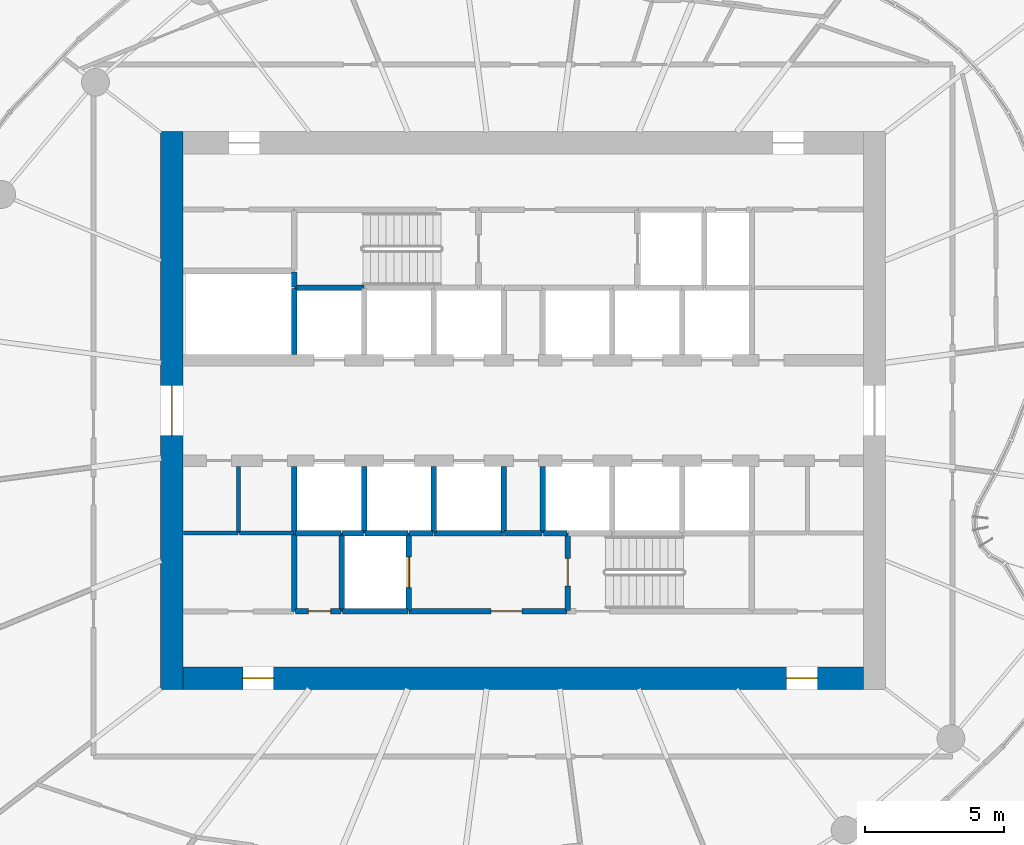
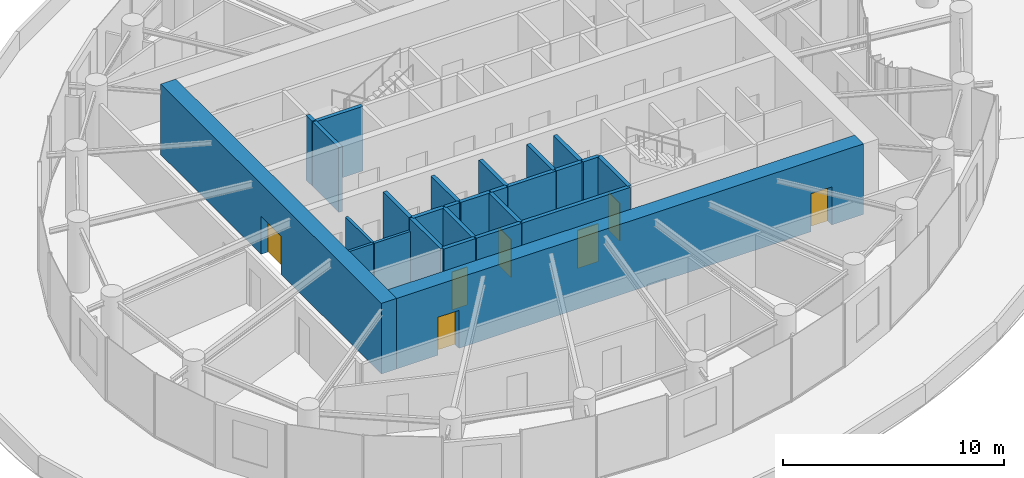
# One storey, part 13 of 21: 27 walls, 7 doors, 7 openings.
"""IFC4 building model written with IfcOpenShell, lengths in metres."""

from ifc_helpers import new_model, si_unit, direction, frame, frame_2d, origin, place, context, subcontext, project, spatial, rectangle, extrude, source, transform, mapped, material, layer, layer_set, type_object, element, fill, save


model = new_model("IFC4")

# Units and contexts
model_context = context("Model", 3, precision=1e-05, world=origin(), true_north=direction((0.0, 1.0)))
body_context = subcontext(model_context, "Body", "Model", "MODEL_VIEW")
ifc_project = project(units=[si_unit("LENGTHUNIT", "METRE"), si_unit("AREAUNIT", "SQUARE_METRE"), si_unit("VOLUMEUNIT", "CUBIC_METRE"), si_unit("PLANEANGLEUNIT", "RADIAN"), si_unit("MASSUNIT", "GRAM", prefix="KILO")], contexts=[model_context])

# Site, building, storey
site_placement = place(None, origin())
site = spatial("IfcSite", under=ifc_project, at=site_placement, CompositionType="ELEMENT")
building_placement = place(site_placement, origin())
building = spatial("IfcBuilding", under=site, at=building_placement, Name="Spindrift Exchange Tower", CompositionType="ELEMENT")
storey_placement = place(building_placement, frame((0.0, 0.0, 133.10009765625)))
storey = spatial("IfcBuildingStorey", under=building, at=storey_placement, Name="L31", CompositionType="ELEMENT", Elevation=133.10009765625)

# Wall, opening, door
ifc_material_1 = material(Name="Concrete 65 MPa", Category="concrete")
ifc_layer_1 = layer(ifc_material_1, 0.800048828125)
ifc_layer_set_1 = layer_set([ifc_layer_1], Name="RC Core Wall 800 Concrete 65 MPa")
wall_type_1 = type_object("IfcWallType", Name="RC Core Wall 800 Concrete 65 MPa", PredefinedType="SHEAR", material=ifc_layer_set_1)
wall_1_placement = place(storey_placement, frame((39.39990234375, 58.0, 0.0), z_axis=(0.0, 0.0, 1.0), x_axis=(0.0, -1.0, 0.0)))
wall_1 = element("IfcWall", 1, at=wall_1_placement, inside=storey, type_object=wall_type_1, Name="Core wall W L31", PredefinedType="SHEAR", context=body_context, shape_type="SweptSolid", body=[
    extrude(rectangle(XDim=20.0, YDim=0.800048828125, at=frame_2d((10.0, 0.0))), origin(), (0.0, 0.0, 1.0), 3.89990234375),
])
opening_1_placement = place(wall_1_placement, frame((9.10009765625, 0.0, 0.0)))
opening_1 = element("IfcOpeningElement", 2, at=opening_1_placement, cuts=wall_1, Name="Opening L31-D1", PredefinedType="OPENING", context=body_context, shape_type="SweptSolid", body=[
    extrude(rectangle(XDim=1.800048828125, YDim=2.10009765625, at=frame_2d((0.89990234375, 1.050048828125))), frame((0.0, 0.409912109375, 0.0), z_axis=(0.0, -1.0, 0.0), x_axis=(1.0, 0.0, 0.0)), (0.0, 0.0, 1.0), 0.820068359375),
])
ifc_material_2 = material(Name="Timber-core fire door", Category="wood")
door_type_1 = type_object("IfcDoorType", Name="DR-LOBBY-1800", OperationType="NOTDEFINED", PredefinedType="DOOR", material=ifc_material_2)
shared_shape_1 = source(origin(), body_context, "Body", "SweptSolid", [
    extrude(rectangle(XDim=1.800048828125, YDim=2.10009765625, at=frame_2d((0.89990234375, 1.050048828125))), frame((0.0, 0.02490234375, 0.0), z_axis=(0.0, -1.0, 0.0), x_axis=(1.0, 0.0, 0.0)), (0.0, 0.0, 1.0), 0.050048828125),
])
door_1_placement = place(opening_1_placement, origin())
door_1 = element("IfcDoor", 3, at=door_1_placement, inside=storey, type_object=door_type_1, Name="L31 Lobby door 1", OperationType="SINGLE_SWING_LEFT", OverallHeight=2.10009765625, OverallWidth=1.800048828125, PredefinedType="DOOR", context=body_context, shape_type="MappedRepresentation", body=[
    mapped(shared_shape_1, transform((0.0, 0.0, 0.0), scale=1.0)),
])
fill(opening_1, door_1)

# Wall, openings, doors
wall_2_placement = place(storey_placement, frame((39.800048828125, 38.39990234375, 0.0), z_axis=(0.0, 0.0, 1.0), x_axis=(1.0, 0.0, 0.0)))
wall_2 = element("IfcWall", 4, at=wall_2_placement, inside=storey, type_object=wall_type_1, Name="Core wall S L31", PredefinedType="SHEAR", context=body_context, shape_type="SweptSolid", body=[
    extrude(rectangle(XDim=24.39990234375, YDim=0.800048828125, at=frame_2d((12.199951171875, 0.0))), origin(), (0.0, 0.0, 1.0), 3.89990234375),
])
opening_2_placement = place(wall_2_placement, frame((21.64990234375, 0.0, 0.0)))
opening_2 = element("IfcOpeningElement", 5, at=opening_2_placement, cuts=wall_2, Name="Opening L31-D27", PredefinedType="OPENING", context=body_context, shape_type="SweptSolid", body=[
    extrude(rectangle(XDim=1.10009765625, YDim=2.10009765625, at=frame_2d((0.550048828125, 1.050048828125))), frame((0.0, 0.409912109375, 0.0), z_axis=(0.0, -1.0, 0.0), x_axis=(1.0, 0.0, 0.0)), (0.0, 0.0, 1.0), 0.820068359375),
])
opening_3_placement = place(wall_2_placement, frame((2.14990234375, 0.0, 0.0)))
opening_3 = element("IfcOpeningElement", 6, at=opening_3_placement, cuts=wall_2, Name="Opening L31-D28", PredefinedType="OPENING", context=body_context, shape_type="SweptSolid", body=[
    extrude(rectangle(XDim=1.10009765625, YDim=2.10009765625, at=frame_2d((0.550048828125, 1.050048828125))), frame((0.0, 0.409912109375, 0.0), z_axis=(0.0, -1.0, 0.0), x_axis=(1.0, 0.0, 0.0)), (0.0, 0.0, 1.0), 0.820068359375),
])
ifc_material_3 = material(Name="Steel fire door", Category="steel")
door_type_2 = type_object("IfcDoorType", Name="DR-STAIR-1100", OperationType="NOTDEFINED", PredefinedType="DOOR", material=ifc_material_3)
shared_shape_2 = source(origin(), body_context, "Body", "SweptSolid", [
    extrude(rectangle(XDim=1.10009765625, YDim=2.10009765625, at=frame_2d((0.550048828125, 1.050048828125))), frame((0.0, 0.02490234375, 0.0), z_axis=(0.0, -1.0, 0.0), x_axis=(1.0, 0.0, 0.0)), (0.0, 0.0, 1.0), 0.050048828125),
])
door_2_placement = place(opening_2_placement, origin())
door_2 = element("IfcDoor", 7, at=door_2_placement, inside=storey, type_object=door_type_2, Name="L31 Stair door 27", OperationType="SINGLE_SWING_RIGHT", OverallHeight=2.10009765625, OverallWidth=1.10009765625, PredefinedType="DOOR", context=body_context, shape_type="MappedRepresentation", body=[
    mapped(shared_shape_2, transform((0.0, 0.0, 0.0), scale=1.0)),
])
fill(opening_2, door_2)
door_3_placement = place(opening_3_placement, origin())
door_3 = element("IfcDoor", 8, at=door_3_placement, inside=storey, type_object=door_type_2, Name="L31 Stair door 28", OperationType="SINGLE_SWING_LEFT", OverallHeight=2.10009765625, OverallWidth=1.10009765625, PredefinedType="DOOR", context=body_context, shape_type="MappedRepresentation", body=[
    mapped(shared_shape_2, transform((0.0, 0.0, 0.0), scale=1.0)),
])
fill(opening_3, door_3)

# Walls
ifc_material_4 = material(Name="Fire-rated plasterboard partition", Category="gypsum")
ifc_layer_2 = layer(ifc_material_4, 0.139892578125)
ifc_layer_set_2 = layer_set([ifc_layer_2], Name="W-PART-140")
wall_type_2 = type_object("IfcWallType", Name="W-PART-140", PredefinedType="PARTITIONING", material=ifc_layer_set_2)
wall_3_placement = place(storey_placement, frame((41.800048828125, 43.60009765625, 0.0), z_axis=(0.0, 0.0, 1.0), x_axis=(0.0, 1.0, 0.0)))
element("IfcWall", 9, at=wall_3_placement, inside=storey, type_object=wall_type_2, Name="L31 Partition wall 89", PredefinedType="PARTITIONING", context=body_context, shape_type="SweptSolid", body=[
    extrude(rectangle(XDim=2.389892578125, YDim=0.139892578125, at=frame_2d((1.19482421875, 0.0))), origin(), (0.0, 0.0, 1.0), 2.8798828125),
])
wall_4_placement = place(storey_placement, frame((43.77001953125, 43.60009765625, 0.0), z_axis=(0.0, 0.0, 1.0), x_axis=(-1.0, 0.0, 0.0)))
element("IfcWall", 10, at=wall_4_placement, inside=storey, type_object=wall_type_2, Name="L31 Partition wall 92", PredefinedType="PARTITIONING", context=body_context, shape_type="SweptSolid", body=[
    extrude(rectangle(XDim=1.93994140625, YDim=0.139892578125, at=frame_2d((0.969970703125, 0.0))), origin(), (0.0, 0.0, 1.0), 2.8798828125),
])
wall_5_placement = place(storey_placement, frame((41.77001953125, 43.60009765625, 0.0), z_axis=(0.0, 0.0, 1.0), x_axis=(-1.0, 0.0, 0.0)))
element("IfcWall", 11, at=wall_5_placement, inside=storey, type_object=wall_type_2, Name="L31 Partition wall 95", PredefinedType="PARTITIONING", context=body_context, shape_type="SweptSolid", body=[
    extrude(rectangle(XDim=1.949951171875, YDim=0.139892578125, at=frame_2d((0.97509765625, 0.0))), origin(), (0.0, 0.0, 1.0), 2.8798828125),
])
ifc_material_5 = material(Name="Concrete 40 MPa", Category="concrete")
ifc_layer_3 = layer(ifc_material_5, 0.199951171875)
ifc_layer_set_3 = layer_set([ifc_layer_3], Name="W-SHAFT-200")
wall_type_3 = type_object("IfcWallType", Name="W-SHAFT-200", PredefinedType="SOLIDWALL", material=ifc_layer_set_3)
for number, where, z_axis, x_axis, name in (
    (12, (43.800048828125, 43.60009765625, 0.0), (0.0, 0.0, 1.0), (0.0, -1.0, 0.0), "L31 Shaft wall 6"),
    (13, (45.5, 43.60009765625, 0.0), (0.0, 0.0, 1.0), (0.0, -1.0, 0.0), "L31 Shaft wall 7"),
):
    element("IfcWall", number, at=place(storey_placement, frame(where, z_axis=z_axis, x_axis=x_axis)), inside=storey, type_object=wall_type_3, Name=name, PredefinedType="SOLIDWALL", context=body_context, shape_type="SweptSolid", body=[
        extrude(rectangle(XDim=2.800048828125, YDim=0.199951171875, at=frame_2d((1.39990234375, 0.0))), origin(), (0.0, 0.0, 1.0), 3.579833984375),
    ])

# Wall, opening, door
wall_6_placement = place(storey_placement, frame((47.89990234375, 40.830078125, 0.0), z_axis=(0.0, 0.0, 1.0), x_axis=(0.0, 1.0, 0.0)))
wall_6 = element("IfcWall", 14, at=wall_6_placement, inside=storey, type_object=wall_type_3, Name="L31 Shaft wall 8", PredefinedType="SOLIDWALL", context=body_context, shape_type="SweptSolid", body=[
    extrude(rectangle(XDim=2.77001953125, YDim=0.199951171875, at=frame_2d((1.385009765625, 0.0))), origin(), (0.0, 0.0, 1.0), 3.579833984375),
])
opening_4_placement = place(wall_6_placement, frame((0.820068359375, 0.0, 0.0)))
opening_4 = element("IfcOpeningElement", 15, at=opening_4_placement, cuts=wall_6, Name="Opening L31-D16", PredefinedType="OPENING", context=body_context, shape_type="SweptSolid", body=[
    extrude(rectangle(XDim=1.10009765625, YDim=2.10009765625, at=frame_2d((0.550048828125, 1.050048828125))), frame((0.0, 0.10986328125, 0.0), z_axis=(0.0, -1.0, 0.0), x_axis=(1.0, 0.0, 0.0)), (0.0, 0.0, 1.0), 0.219970703125),
])
ifc_material_6 = material(Name="Stainless steel landing door", Category="steel")
door_type_3 = type_object("IfcDoorType", Name="DR-LANDING-1100-SL", OperationType="DOUBLE_DOOR_SLIDING", PredefinedType="USERDEFINED", material=ifc_material_6)
shared_shape_3 = source(origin(), body_context, "Body", "SweptSolid", [
    extrude(rectangle(XDim=1.10009765625, YDim=2.10009765625, at=frame_2d((0.550048828125, 1.050048828125))), frame((0.0, 0.02490234375, 0.0), z_axis=(0.0, -1.0, 0.0), x_axis=(1.0, 0.0, 0.0)), (0.0, 0.0, 1.0), 0.050048828125),
])
door_4_placement = place(opening_4_placement, origin())
door_4 = element("IfcDoor", 16, at=door_4_placement, inside=storey, type_object=door_type_3, Name="L31 Lift landing door 16", ObjectType="LANDING DOOR", OperationType="DOUBLE_DOOR_SLIDING", OverallHeight=2.10009765625, OverallWidth=1.10009765625, PredefinedType="USERDEFINED", context=body_context, shape_type="MappedRepresentation", body=[
    mapped(shared_shape_3, transform((0.0, 0.0, 0.0), scale=1.0)),
])
fill(opening_4, door_4)

# Walls
wall_7_placement = place(storey_placement, frame((48.800048828125, 43.60009765625, 0.0), z_axis=(0.0, 0.0, 1.0), x_axis=(1.0, 0.0, 0.0)))
element("IfcWall", 17, at=wall_7_placement, inside=storey, type_object=wall_type_3, Name="L31 Shaft wall 17", PredefinedType="SOLIDWALL", context=body_context, shape_type="SweptSolid", body=[
    extrude(rectangle(XDim=2.5, YDim=0.199951171875, at=frame_2d((1.25, 0.0))), origin(), (0.0, 0.0, 1.0), 3.579833984375),
])
wall_8_placement = place(storey_placement, frame((45.530029296875, 40.800048828125, 0.0), z_axis=(0.0, 0.0, 1.0), x_axis=(1.0, 0.0, 0.0)))
element("IfcWall", 18, at=wall_8_placement, inside=storey, type_object=wall_type_3, Name="L31 Shaft wall 21", PredefinedType="SOLIDWALL", context=body_context, shape_type="SweptSolid", body=[
    extrude(rectangle(XDim=2.340087890625, YDim=0.199951171875, at=frame_2d((1.169921875, 0.0))), origin(), (0.0, 0.0, 1.0), 3.579833984375),
])
wall_9_placement = place(storey_placement, frame((43.800048828125, 45.989990234375, 0.0), z_axis=(0.0, 0.0, 1.0), x_axis=(0.0, -1.0, 0.0)))
element("IfcWall", 19, at=wall_9_placement, inside=storey, type_object=wall_type_3, Name="L31 Shaft wall 23", PredefinedType="SOLIDWALL", context=body_context, shape_type="SweptSolid", body=[
    extrude(rectangle(XDim=2.360107421875, YDim=0.199951171875, at=frame_2d((1.18017578125, 0.0))), origin(), (0.0, 0.0, 1.0), 3.579833984375),
])
wall_10_placement = place(storey_placement, frame((46.300048828125, 43.60009765625, 0.0), z_axis=(0.0, 0.0, 1.0), x_axis=(0.0, 1.0, 0.0)))
element("IfcWall", 20, at=wall_10_placement, inside=storey, type_object=wall_type_3, Name="L31 Shaft wall 25", PredefinedType="SOLIDWALL", context=body_context, shape_type="SweptSolid", body=[
    extrude(rectangle(XDim=2.389892578125, YDim=0.199951171875, at=frame_2d((1.19482421875, 0.0))), origin(), (0.0, 0.0, 1.0), 3.579833984375),
])
for number, where, z_axis, x_axis, name in (
    (21, (48.800048828125, 43.6298828125, 0.0), (0.0, 0.0, 1.0), (0.0, 1.0, 0.0), "L31 Shaft wall 27"),
    (22, (51.300048828125, 43.6298828125, 0.0), (0.0, 0.0, 1.0), (0.0, 1.0, 0.0), "L31 Shaft wall 29"),
):
    element("IfcWall", number, at=place(storey_placement, frame(where, z_axis=z_axis, x_axis=x_axis)), inside=storey, type_object=wall_type_3, Name=name, PredefinedType="SOLIDWALL", context=body_context, shape_type="SweptSolid", body=[
        extrude(rectangle(XDim=2.360107421875, YDim=0.199951171875, at=frame_2d((1.18017578125, 0.0))), origin(), (0.0, 0.0, 1.0), 3.579833984375),
    ])
wall_11_placement = place(storey_placement, frame((52.699951171875, 45.989990234375, 0.0), z_axis=(0.0, 0.0, 1.0), x_axis=(0.0, -1.0, 0.0)))
element("IfcWall", 23, at=wall_11_placement, inside=storey, type_object=wall_type_3, Name="L31 Shaft wall 31", PredefinedType="SOLIDWALL", context=body_context, shape_type="SweptSolid", body=[
    extrude(rectangle(XDim=2.389892578125, YDim=0.199951171875, at=frame_2d((1.19482421875, 0.0))), origin(), (0.0, 0.0, 1.0), 3.579833984375),
])
wall_12_placement = place(storey_placement, frame((43.830078125, 43.60009765625, 0.0), z_axis=(0.0, 0.0, 1.0), x_axis=(1.0, 0.0, 0.0)))
element("IfcWall", 24, at=wall_12_placement, inside=storey, type_object=wall_type_3, Name="L31 Shaft wall 40", PredefinedType="SOLIDWALL", context=body_context, shape_type="SweptSolid", body=[
    extrude(rectangle(XDim=1.639892578125, YDim=0.199951171875, at=frame_2d((0.81982421875, 0.0))), origin(), (0.0, 0.0, 1.0), 3.579833984375),
])

# Wall, opening, door
wall_13_placement = place(storey_placement, frame((43.830078125, 40.800048828125, 0.0), z_axis=(0.0, 0.0, 1.0), x_axis=(1.0, 0.0, 0.0)))
wall_13 = element("IfcWall", 25, at=wall_13_placement, inside=storey, type_object=wall_type_3, Name="L31 Shaft wall 41", PredefinedType="SOLIDWALL", context=body_context, shape_type="SweptSolid", body=[
    extrude(rectangle(XDim=1.639892578125, YDim=0.199951171875, at=frame_2d((0.81982421875, 0.0))), origin(), (0.0, 0.0, 1.0), 3.579833984375),
])
opening_5_placement = place(wall_13_placement, frame((0.469970703125, 0.0, 0.0)))
opening_5 = element("IfcOpeningElement", 26, at=opening_5_placement, cuts=wall_13, Name="Opening L31-D24", PredefinedType="OPENING", context=body_context, shape_type="SweptSolid", body=[
    extrude(rectangle(XDim=0.800048828125, YDim=2.10009765625, at=frame_2d((0.39990234375, 1.050048828125))), frame((0.0, 0.10986328125, 0.0), z_axis=(0.0, -1.0, 0.0), x_axis=(1.0, 0.0, 0.0)), (0.0, 0.0, 1.0), 0.219970703125),
])
ifc_material_7 = material(Name="Steel access door", Category="steel")
door_type_4 = type_object("IfcDoorType", Name="DR-RISER-800", OperationType="NOTDEFINED", PredefinedType="DOOR", material=ifc_material_7)
shared_shape_4 = source(origin(), body_context, "Body", "SweptSolid", [
    extrude(rectangle(XDim=0.800048828125, YDim=2.10009765625, at=frame_2d((0.39990234375, 1.050048828125))), frame((0.0, 0.02490234375, 0.0), z_axis=(0.0, -1.0, 0.0), x_axis=(1.0, 0.0, 0.0)), (0.0, 0.0, 1.0), 0.050048828125),
])
door_5_placement = place(opening_5_placement, origin())
door_5 = element("IfcDoor", 27, at=door_5_placement, inside=storey, type_object=door_type_4, Name="L31 Riser door 24", OperationType="SINGLE_SWING_LEFT", OverallHeight=2.10009765625, OverallWidth=0.800048828125, PredefinedType="DOOR", context=body_context, shape_type="MappedRepresentation", body=[
    mapped(shared_shape_4, transform((0.0, 0.0, 0.0), scale=1.0)),
])
fill(opening_5, door_5)

# Walls
wall_14_placement = place(storey_placement, frame((46.330078125, 43.60009765625, 0.0), z_axis=(0.0, 0.0, 1.0), x_axis=(1.0, 0.0, 0.0)))
element("IfcWall", 28, at=wall_14_placement, inside=storey, type_object=wall_type_3, Name="L31 Shaft wall 44", PredefinedType="SOLIDWALL", context=body_context, shape_type="SweptSolid", body=[
    extrude(rectangle(XDim=1.5400390625, YDim=0.199951171875, at=frame_2d((0.77001953125, 0.0))), origin(), (0.0, 0.0, 1.0), 3.579833984375),
])
wall_15_placement = place(storey_placement, frame((52.669921875, 43.60009765625, 0.0), z_axis=(0.0, 0.0, 1.0), x_axis=(-1.0, 0.0, 0.0)))
element("IfcWall", 29, at=wall_15_placement, inside=storey, type_object=wall_type_3, Name="L31 Shaft wall 48", PredefinedType="SOLIDWALL", context=body_context, shape_type="SweptSolid", body=[
    extrude(rectangle(XDim=1.33984375, YDim=0.199951171875, at=frame_2d((0.669921875, 0.0))), origin(), (0.0, 0.0, 1.0), 3.579833984375),
])
wall_16_placement = place(storey_placement, frame((47.929931640625, 43.60009765625, 0.0), z_axis=(0.0, 0.0, 1.0), x_axis=(1.0, 0.0, 0.0)))
element("IfcWall", 30, at=wall_16_placement, inside=storey, type_object=wall_type_3, Name="L31 Shaft wall 50", PredefinedType="SOLIDWALL", context=body_context, shape_type="SweptSolid", body=[
    extrude(rectangle(XDim=0.840087890625, YDim=0.199951171875, at=frame_2d((0.419921875, 0.0))), origin(), (0.0, 0.0, 1.0), 3.579833984375),
])
wall_17_placement = place(storey_placement, frame((45.530029296875, 43.60009765625, 0.0), z_axis=(0.0, 0.0, 1.0), x_axis=(1.0, 0.0, 0.0)))
element("IfcWall", 31, at=wall_17_placement, inside=storey, type_object=wall_type_3, Name="L31 Shaft wall 54", PredefinedType="SOLIDWALL", context=body_context, shape_type="SweptSolid", body=[
    extrude(rectangle(XDim=0.739990234375, YDim=0.199951171875, at=frame_2d((0.3701171875, 0.0))), origin(), (0.0, 0.0, 1.0), 3.579833984375),
])

# Wall, opening, door
ifc_layer_4 = layer(ifc_material_5, 0.199951171875)
ifc_layer_set_4 = layer_set([ifc_layer_4], Name="W-SHAFT-200-LB")
wall_type_4 = type_object("IfcWallType", Name="W-SHAFT-200-LB", PredefinedType="SOLIDWALL", material=ifc_layer_set_4)
wall_18_placement = place(storey_placement, frame((47.89990234375, 40.800048828125, 0.0), z_axis=(0.0, 0.0, 1.0), x_axis=(1.0, 0.0, 0.0)))
wall_18 = element("IfcWall", 32, at=wall_18_placement, inside=storey, type_object=wall_type_4, Name="L31 Shaft wall 3", PredefinedType="SOLIDWALL", context=body_context, shape_type="SweptSolid", body=[
    extrude(rectangle(XDim=5.670166015625, YDim=0.199951171875, at=frame_2d((2.8349609375, 0.0))), origin(), (0.0, 0.0, 1.0), 3.579833984375),
])
opening_6_placement = place(wall_18_placement, frame((2.949951171875, 0.0, 0.0)))
opening_6 = element("IfcOpeningElement", 33, at=opening_6_placement, cuts=wall_18, Name="Opening L31-D23", PredefinedType="OPENING", context=body_context, shape_type="SweptSolid", body=[
    extrude(rectangle(XDim=1.10009765625, YDim=2.10009765625, at=frame_2d((0.550048828125, 1.050048828125))), frame((0.0, 0.10986328125, 0.0), z_axis=(0.0, -1.0, 0.0), x_axis=(1.0, 0.0, 0.0)), (0.0, 0.0, 1.0), 0.219970703125),
])
door_type_5 = type_object("IfcDoorType", Name="DR-LOBBY-1100", OperationType="NOTDEFINED", PredefinedType="DOOR", material=ifc_material_2)
shared_shape_5 = source(origin(), body_context, "Body", "SweptSolid", [
    extrude(rectangle(XDim=1.10009765625, YDim=2.10009765625, at=frame_2d((0.550048828125, 1.050048828125))), frame((0.0, 0.02490234375, 0.0), z_axis=(0.0, -1.0, 0.0), x_axis=(1.0, 0.0, 0.0)), (0.0, 0.0, 1.0), 0.050048828125),
])
door_6_placement = place(opening_6_placement, origin())
door_6 = element("IfcDoor", 34, at=door_6_placement, inside=storey, type_object=door_type_5, Name="L31 Lobby door 23", OperationType="SINGLE_SWING_RIGHT", OverallHeight=2.10009765625, OverallWidth=1.10009765625, PredefinedType="DOOR", context=body_context, shape_type="MappedRepresentation", body=[
    mapped(shared_shape_5, transform((0.0, 0.0, 0.0), scale=1.0)),
])
fill(opening_6, door_6)

wall_19_placement = place(storey_placement, frame((53.60009765625, 43.60009765625, 0.0), z_axis=(0.0, 0.0, 1.0), x_axis=(0.0, -1.0, 0.0)))
wall_19 = element("IfcWall", 35, at=wall_19_placement, inside=storey, type_object=wall_type_4, Name="L31 Shaft wall 11", PredefinedType="SOLIDWALL", context=body_context, shape_type="SweptSolid", body=[
    extrude(rectangle(XDim=2.77001953125, YDim=0.199951171875, at=frame_2d((1.385009765625, 0.0))), origin(), (0.0, 0.0, 1.0), 3.579833984375),
])
opening_7_placement = place(wall_19_placement, frame((0.89990234375, 0.0, 0.0)))
opening_7 = element("IfcOpeningElement", 36, at=opening_7_placement, cuts=wall_19, Name="Opening L31-D22", PredefinedType="OPENING", context=body_context, shape_type="SweptSolid", body=[
    extrude(rectangle(XDim=1.0, YDim=2.10009765625, at=frame_2d((0.5, 1.050048828125))), frame((0.0, 0.10986328125, 0.0), z_axis=(0.0, -1.0, 0.0), x_axis=(1.0, 0.0, 0.0)), (0.0, 0.0, 1.0), 0.219970703125),
])
door_type_6 = type_object("IfcDoorType", Name="DR-STAIR-1000", OperationType="NOTDEFINED", PredefinedType="DOOR", material=ifc_material_3)
shared_shape_6 = source(origin(), body_context, "Body", "SweptSolid", [
    extrude(rectangle(XDim=1.0, YDim=2.10009765625, at=frame_2d((0.5, 1.050048828125))), frame((0.0, 0.02490234375, 0.0), z_axis=(0.0, -1.0, 0.0), x_axis=(1.0, 0.0, 0.0)), (0.0, 0.0, 1.0), 0.050048828125),
])
door_7_placement = place(opening_7_placement, origin())
door_7 = element("IfcDoor", 37, at=door_7_placement, inside=storey, type_object=door_type_6, Name="L31 Stair door 22", OperationType="SINGLE_SWING_LEFT", OverallHeight=2.10009765625, OverallWidth=1.0, PredefinedType="DOOR", context=body_context, shape_type="MappedRepresentation", body=[
    mapped(shared_shape_6, transform((0.0, 0.0, 0.0), scale=1.0)),
])
fill(opening_7, door_7)

# Walls
wall_20_placement = place(storey_placement, frame((46.300048828125, 52.39990234375, 0.0), z_axis=(0.0, 0.0, 1.0), x_axis=(-1.0, 0.0, 0.0)))
element("IfcWall", 38, at=wall_20_placement, inside=storey, type_object=wall_type_4, Name="L31 Shaft wall 15", PredefinedType="SOLIDWALL", context=body_context, shape_type="SweptSolid", body=[
    extrude(rectangle(XDim=2.5, YDim=0.199951171875, at=frame_2d((1.25, 0.0))), origin(), (0.0, 0.0, 1.0), 3.579833984375),
])
wall_21_placement = place(storey_placement, frame((43.800048828125, 52.3701171875, 0.0), z_axis=(0.0, 0.0, 1.0), x_axis=(0.0, -1.0, 0.0)))
element("IfcWall", 39, at=wall_21_placement, inside=storey, type_object=wall_type_4, Name="L31 Shaft wall 24", PredefinedType="SOLIDWALL", context=body_context, shape_type="SweptSolid", body=[
    extrude(rectangle(XDim=2.360107421875, YDim=0.199951171875, at=frame_2d((1.18017578125, 0.0))), origin(), (0.0, 0.0, 1.0), 3.579833984375),
])
wall_22_placement = place(storey_placement, frame((52.72998046875, 43.60009765625, 0.0), z_axis=(0.0, 0.0, 1.0), x_axis=(1.0, 0.0, 0.0)))
element("IfcWall", 40, at=wall_22_placement, inside=storey, type_object=wall_type_4, Name="L31 Shaft wall 52", PredefinedType="SOLIDWALL", context=body_context, shape_type="SweptSolid", body=[
    extrude(rectangle(XDim=0.840087890625, YDim=0.199951171875, at=frame_2d((0.419921875, 0.0))), origin(), (0.0, 0.0, 1.0), 3.579833984375),
])
wall_23_placement = place(storey_placement, frame((43.800048828125, 52.429931640625, 0.0), z_axis=(0.0, 0.0, 1.0), x_axis=(0.0, 1.0, 0.0)))
element("IfcWall", 41, at=wall_23_placement, inside=storey, type_object=wall_type_4, Name="L31 Shaft wall 56", PredefinedType="SOLIDWALL", context=body_context, shape_type="SweptSolid", body=[
    extrude(rectangle(XDim=0.5400390625, YDim=0.199951171875, at=frame_2d((0.27001953125, 0.0))), origin(), (0.0, 0.0, 1.0), 3.579833984375),
])

save(model, "model.ifc")
